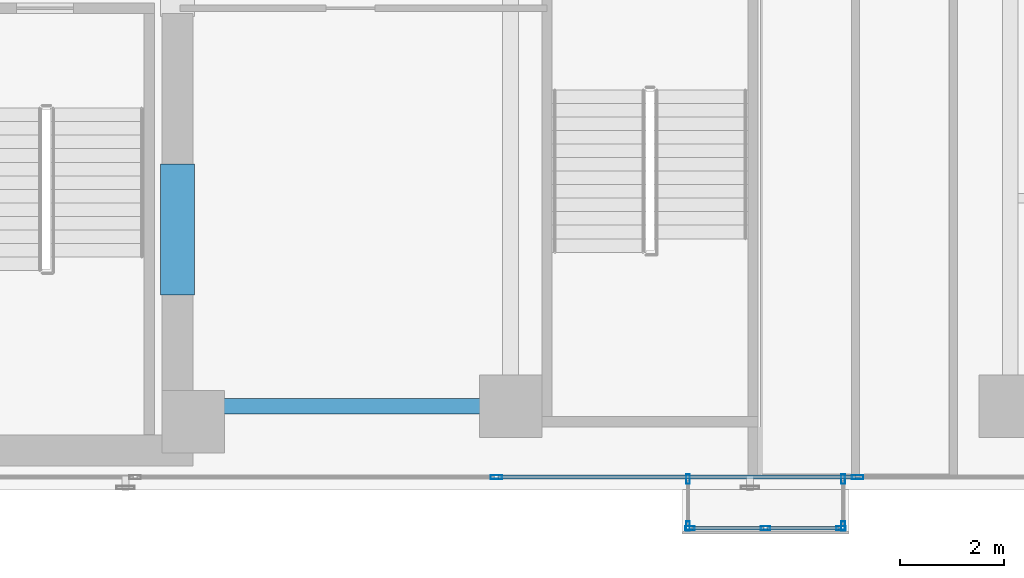
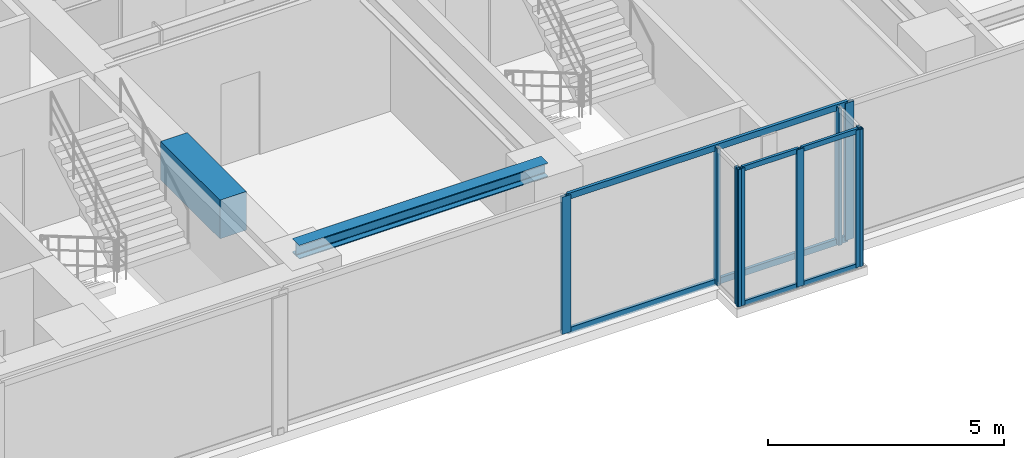
# One storey, part 4 of 23: 15 members, 2 beams, 4 elements without a shape of their own.
"""IFC4 building model written with IfcOpenShell, lengths in metres."""

from ifc_helpers import new_model, si_unit, direction, frame, origin, origin_with_axes, origin_2d, place, context, subcontext, project, spatial, rectangle, hollow_rectangle, i_section, extrude, source, transform, mapped, material, layer, layer_set, material_profile, profile_set, type_object, element, aggregate, save


model = new_model("IFC4")

# Units and contexts
model_context = context("Model", 3, precision=1e-05, world=origin(), true_north=direction((0.0, 1.0)))
body_context = subcontext(model_context, "Body", "Model", "MODEL_VIEW")
ifc_project = project(units=[si_unit("LENGTHUNIT", "METRE"), si_unit("AREAUNIT", "SQUARE_METRE"), si_unit("VOLUMEUNIT", "CUBIC_METRE"), si_unit("PLANEANGLEUNIT", "RADIAN"), si_unit("MASSUNIT", "GRAM", prefix="KILO")], contexts=[model_context])

# Site, building, storey
site_placement = place(None, origin())
site = spatial("IfcSite", under=ifc_project, at=site_placement, CompositionType="ELEMENT")
building_placement = place(site_placement, origin())
building = spatial("IfcBuilding", under=site, at=building_placement, Name="Kolvaren Waterfront Exchange", CompositionType="ELEMENT")
storey_placement = place(building_placement, frame((0.0, 0.0, 188.0)))
storey = spatial("IfcBuildingStorey", under=building, at=storey_placement, Name="L48", CompositionType="ELEMENT", Elevation=188.0)

# Beams
ifc_material_1 = material(Name="Steel S355", Category="steel")
ifc_material_profile_1 = material_profile(ifc_material_1, i_section(OverallWidth=0.300048828125, OverallDepth=0.360107421875, WebThickness=0.012451171875, FlangeThickness=0.0224609375, FilletRadius=0.027099609375, at=origin_2d()), Name="HEB360")
ifc_profile_set_1 = profile_set([ifc_material_profile_1], Name="Steel S355")
beam_type_1 = type_object("IfcBeamType", Name="STR-BM-HEB360", PredefinedType="SPANDREL", material=ifc_profile_set_1)
beam_1_placement = place(storey_placement, frame((21.10009765625, 5.199951171875, 3.3798828125), z_axis=(1.0, 0.0, 0.0), x_axis=(0.0, 1.0, 0.0)))
element("IfcBeam", 1, at=beam_1_placement, inside=storey, type_object=beam_type_1, Name="L48 east-arm spandrel S1", PredefinedType="SPANDREL", context=body_context, shape_type="SweptSolid", body=[
    extrude(i_section(OverallWidth=0.300048828125, OverallDepth=0.360107421875, WebThickness=0.012451171875, FlangeThickness=0.0224609375, FilletRadius=0.027099609375, at=origin_2d()), origin(), (0.0, 0.0, 1.0), 6.099853515625),
])
ifc_material_2 = material(Name="Concrete C60/75", Category="concrete")
ifc_material_profile_2 = material_profile(ifc_material_2, rectangle(XDim=0.64990234375, YDim=1.0, at=origin_2d()), Name="RC-CB-1000x650")
ifc_profile_set_2 = profile_set([ifc_material_profile_2], Name="Concrete C60/75")
beam_type_2 = type_object("IfcBeamType", Name="STR-CB-1000", PredefinedType="SPANDREL", material=ifc_profile_set_2)
beam_2_placement = place(storey_placement, frame((20.800048828125, 7.340087890625, 3.06005859375), z_axis=(0.0, 1.0, 0.0), x_axis=(-1.0, 0.0, 0.0)))
element("IfcBeam", 2, at=beam_2_placement, inside=storey, type_object=beam_type_2, Name="L48 core coupling beam 1", PredefinedType="SPANDREL", context=body_context, shape_type="SweptSolid", body=[
    extrude(rectangle(XDim=0.64990234375, YDim=1.0, at=origin_2d()), origin(), (0.0, 0.0, 1.0), 2.52001953125),
])

# Curtain wall, members
ifc_material_3 = material(Name="Anodised bronze aluminium 6063-T6", Category="aluminium")
ifc_layer_1 = layer(ifc_material_3, 0.219970703125, Name="Anodised bronze aluminium 6063-T6")
ifc_layer_set_1 = layer_set([ifc_layer_1], Name="Anodised bronze aluminium 6063-T6")
curtain_wall_type_1 = type_object("IfcCurtainWallType", Name="ARC-CW-SYS3", PredefinedType="USERDEFINED", material=ifc_layer_set_1)
curtain_wall_1_placement = place(storey_placement, origin())
curtain_wall_1 = element("IfcCurtainWall", 3, at=curtain_wall_1_placement, inside=storey, type_object=curtain_wall_type_1, Name="L48 stick curtain wall CW3 (CW-L48-BOX)", ObjectType="STICK CURTAIN WALL", PredefinedType="USERDEFINED")
ifc_material_profile_3 = material_profile(ifc_material_3, hollow_rectangle(XDim=0.06494140625, YDim=0.1298828125, WallThickness=0.00390625, at=origin_2d()), Name="ALU-TRN-130x65x4")
ifc_profile_set_3 = profile_set([ifc_material_profile_3], Name="Anodised bronze aluminium 6063-T6")
member_type_1 = type_object("IfcMemberType", Name="ARC-CWT-130", PredefinedType="USERDEFINED", material=ifc_profile_set_3)
shared_shape_1 = source(origin_with_axes(), body_context, "Body", "SweptSolid", [
    extrude(hollow_rectangle(XDim=0.06494140625, YDim=0.1298828125, WallThickness=0.00390625, at=origin_2d()), origin(), (0.0, 0.0, 1.0), 1.37744140625),
])
member_1_placement = place(storey_placement, frame((30.68505859375, 2.860107421875, 0.032470703125), z_axis=(1.0, 0.0, 0.0), x_axis=(0.0, 1.0, 0.0)))
member_1 = element("IfcMember", 4, at=member_1_placement, type_object=member_type_1, Name="CW3 transom 1.1", ObjectType="TRANSOM", PredefinedType="USERDEFINED", context=body_context, shape_type="MappedRepresentation", body=[
    mapped(shared_shape_1, transform((0.0, 0.0, 0.0), x_axis=(1.0, 0.0, 0.0), y_axis=(0.0, 1.0, 0.0), z_axis=(0.0, 0.0, 1.0), scale=1.0)),
])
member_2_placement = place(storey_placement, frame((30.68505859375, 2.860107421875, 3.527587890625), z_axis=(1.0, 0.0, 0.0), x_axis=(0.0, 1.0, 0.0)))
member_2 = element("IfcMember", 5, at=member_2_placement, type_object=member_type_1, Name="CW3 transom 1.2", ObjectType="TRANSOM", PredefinedType="USERDEFINED", context=body_context, shape_type="MappedRepresentation", body=[
    mapped(shared_shape_1, transform((0.0, 0.0, 0.0), x_axis=(1.0, 0.0, 0.0), y_axis=(0.0, 1.0, 0.0), z_axis=(0.0, 0.0, 1.0), scale=1.0)),
])
member_3_placement = place(storey_placement, frame((32.137451171875, 2.860107421875, 0.032470703125), z_axis=(1.0, 0.0, 0.0), x_axis=(0.0, 1.0, 0.0)))
member_3 = element("IfcMember", 6, at=member_3_placement, type_object=member_type_1, Name="CW3 transom 2.1", ObjectType="TRANSOM", PredefinedType="USERDEFINED", context=body_context, shape_type="MappedRepresentation", body=[
    mapped(shared_shape_1, transform((0.0, 0.0, 0.0), x_axis=(1.0, 0.0, 0.0), y_axis=(0.0, 1.0, 0.0), z_axis=(0.0, 0.0, 1.0), scale=1.0)),
])
member_4_placement = place(storey_placement, frame((32.137451171875, 2.860107421875, 3.527587890625), z_axis=(1.0, 0.0, 0.0), x_axis=(0.0, 1.0, 0.0)))
member_4 = element("IfcMember", 7, at=member_4_placement, type_object=member_type_1, Name="CW3 transom 2.2", ObjectType="TRANSOM", PredefinedType="USERDEFINED", context=body_context, shape_type="MappedRepresentation", body=[
    mapped(shared_shape_1, transform((0.0, 0.0, 0.0), x_axis=(1.0, 0.0, 0.0), y_axis=(0.0, 1.0, 0.0), z_axis=(0.0, 0.0, 1.0), scale=1.0)),
])

curtain_wall_2_placement = place(storey_placement, origin())
curtain_wall_2 = element("IfcCurtainWall", 8, at=curtain_wall_2_placement, inside=storey, type_object=curtain_wall_type_1, Name="L48 stick curtain wall CW3 (CW-L48-BOX-W)", ObjectType="STICK CURTAIN WALL", PredefinedType="USERDEFINED")
ifc_material_profile_4 = material_profile(ifc_material_3, hollow_rectangle(XDim=0.074951171875, YDim=0.179931640625, WallThickness=0.00439453125, at=origin_2d()), Name="ALU-MUL-180x75x4.5")
ifc_profile_set_4 = profile_set([ifc_material_profile_4], Name="Anodised bronze aluminium 6063-T6")
member_type_2 = type_object("IfcMemberType", Name="ARC-CWM-180", PredefinedType="MULLION", material=ifc_profile_set_4)
shared_shape_2 = source(origin_with_axes(), body_context, "Body", "SweptSolid", [
    extrude(hollow_rectangle(XDim=0.074951171875, YDim=0.179931640625, WallThickness=0.00439453125, at=origin_2d()), origin(), (0.0, 0.0, 1.0), 3.56005859375),
])
member_5_placement = place(storey_placement, frame((30.610107421875, 3.802490234375, 0.0), z_axis=(0.0, 0.0, 1.0), x_axis=(1.0, 0.0, 0.0)))
member_5 = element("IfcMember", 9, at=member_5_placement, type_object=member_type_2, Name="CW3 mullion 1", PredefinedType="MULLION", context=body_context, shape_type="MappedRepresentation", body=[
    mapped(shared_shape_2, transform((0.0, 0.0, 0.0), x_axis=(1.0, 0.0, 0.0), y_axis=(0.0, 1.0, 0.0), z_axis=(0.0, 0.0, 1.0), scale=1.0)),
])
member_6_placement = place(storey_placement, frame((30.610107421875, 2.8974609375, 0.0), z_axis=(0.0, 0.0, 1.0), x_axis=(1.0, 0.0, 0.0)))
member_6 = element("IfcMember", 10, at=member_6_placement, type_object=member_type_2, Name="CW3 mullion 2", PredefinedType="MULLION", context=body_context, shape_type="MappedRepresentation", body=[
    mapped(shared_shape_2, transform((0.0, 0.0, 0.0), x_axis=(1.0, 0.0, 0.0), y_axis=(0.0, 1.0, 0.0), z_axis=(0.0, 0.0, 1.0), scale=1.0)),
])
aggregate(curtain_wall_2, [member_5, member_6])

# Member
member_7_placement = place(storey_placement, frame((30.6474609375, 2.860107421875, 0.0), z_axis=(0.0, 0.0, 1.0), x_axis=(0.0, 1.0, 0.0)))
member_7 = element("IfcMember", 11, at=member_7_placement, type_object=member_type_2, Name="CW3 mullion 1", PredefinedType="MULLION", context=body_context, shape_type="MappedRepresentation", body=[
    mapped(shared_shape_2, transform((0.0, 0.0, 0.0), x_axis=(1.0, 0.0, 0.0), y_axis=(0.0, 1.0, 0.0), z_axis=(0.0, 0.0, 1.0), scale=1.0)),
])

member_8_placement = place(storey_placement, frame((32.10009765625, 2.860107421875, 0.0), z_axis=(0.0, 0.0, 1.0), x_axis=(0.0, 1.0, 0.0)))
member_8 = element("IfcMember", 12, at=member_8_placement, type_object=member_type_2, Name="CW3 mullion 2", PredefinedType="MULLION", context=body_context, shape_type="MappedRepresentation", body=[
    mapped(shared_shape_2, transform((0.0, 0.0, 0.0), x_axis=(1.0, 0.0, 0.0), y_axis=(0.0, 1.0, 0.0), z_axis=(0.0, 0.0, 1.0), scale=1.0)),
])

member_9_placement = place(storey_placement, frame((33.552490234375, 2.860107421875, 0.0), z_axis=(0.0, 0.0, 1.0), x_axis=(0.0, 1.0, 0.0)))
member_9 = element("IfcMember", 13, at=member_9_placement, type_object=member_type_2, Name="CW3 mullion 3", PredefinedType="MULLION", context=body_context, shape_type="MappedRepresentation", body=[
    mapped(shared_shape_2, transform((0.0, 0.0, 0.0), x_axis=(1.0, 0.0, 0.0), y_axis=(0.0, 1.0, 0.0), z_axis=(0.0, 0.0, 1.0), scale=1.0)),
])

aggregate(curtain_wall_1, [member_7, member_8, member_9, member_1, member_2, member_3, member_4])

# Curtain wall, members
curtain_wall_3_placement = place(storey_placement, origin())
curtain_wall_3 = element("IfcCurtainWall", 14, at=curtain_wall_3_placement, inside=storey, type_object=curtain_wall_type_1, Name="L48 stick curtain wall CW3 (CW-L48-BOX-E)", ObjectType="STICK CURTAIN WALL", PredefinedType="USERDEFINED")
member_10_placement = place(storey_placement, frame((33.590087890625, 2.8974609375, 0.0), z_axis=(0.0, 0.0, 1.0), x_axis=(-1.0, 0.0, 0.0)))
member_10 = element("IfcMember", 15, at=member_10_placement, type_object=member_type_2, Name="CW3 mullion 1", PredefinedType="MULLION", context=body_context, shape_type="MappedRepresentation", body=[
    mapped(shared_shape_2, transform((0.0, 0.0, 0.0), x_axis=(1.0, 0.0, 0.0), y_axis=(0.0, 1.0, 0.0), z_axis=(0.0, 0.0, 1.0), scale=1.0)),
])
member_11_placement = place(storey_placement, frame((33.590087890625, 3.802490234375, 0.0), z_axis=(0.0, 0.0, 1.0), x_axis=(-1.0, 0.0, 0.0)))
member_11 = element("IfcMember", 16, at=member_11_placement, type_object=member_type_2, Name="CW3 mullion 2", PredefinedType="MULLION", context=body_context, shape_type="MappedRepresentation", body=[
    mapped(shared_shape_2, transform((0.0, 0.0, 0.0), x_axis=(1.0, 0.0, 0.0), y_axis=(0.0, 1.0, 0.0), z_axis=(0.0, 0.0, 1.0), scale=1.0)),
])
aggregate(curtain_wall_3, [member_10, member_11])

ifc_layer_2 = layer(ifc_material_3, 0.219970703125, Name="Anodised bronze aluminium 6063-T6")
ifc_layer_set_2 = layer_set([ifc_layer_2], Name="Anodised bronze aluminium 6063-T6")
curtain_wall_type_2 = type_object("IfcCurtainWallType", Name="ARC-CW-SYS1", PredefinedType="USERDEFINED", material=ifc_layer_set_2)
curtain_wall_4_placement = place(storey_placement, origin())
curtain_wall_4 = element("IfcCurtainWall", 17, at=curtain_wall_4_placement, inside=storey, type_object=curtain_wall_type_2, Name="L48 stick curtain wall CW1 (CW-L48-S)", ObjectType="STICK CURTAIN WALL", PredefinedType="USERDEFINED")
ifc_material_4 = material(Name="Anodised aluminium 6063-T6", Category="aluminium")
ifc_material_profile_5 = material_profile(ifc_material_4, hollow_rectangle(XDim=0.080078125, YDim=0.219970703125, WallThickness=0.0048828125, at=origin_2d()), Name="ALU-MUL-220x80x5")
ifc_profile_set_5 = profile_set([ifc_material_profile_5], Name="Anodised aluminium 6063-T6")
member_type_3 = type_object("IfcMemberType", Name="ARC-CWM-220", PredefinedType="MULLION", material=ifc_profile_set_5)
shared_shape_3 = source(origin_with_axes(), body_context, "Body", "SweptSolid", [
    extrude(hollow_rectangle(XDim=0.080078125, YDim=0.219970703125, WallThickness=0.0048828125, at=origin_2d()), origin(), (0.0, 0.0, 1.0), 3.56005859375),
])
member_12_placement = place(storey_placement, frame((26.928466796875, 3.840087890625, 0.0), z_axis=(0.0, 0.0, 1.0), x_axis=(0.0, 1.0, 0.0)))
member_12 = element("IfcMember", 18, at=member_12_placement, type_object=member_type_3, Name="CW1 mullion 4", PredefinedType="MULLION", context=body_context, shape_type="MappedRepresentation", body=[
    mapped(shared_shape_3, transform((0.0, 0.0, 0.0), x_axis=(1.0, 0.0, 0.0), y_axis=(0.0, 1.0, 0.0), z_axis=(0.0, 0.0, 1.0), scale=1.0)),
])
member_13_placement = place(storey_placement, frame((33.871337890625, 3.840087890625, 0.0), z_axis=(0.0, 0.0, 1.0), x_axis=(0.0, 1.0, 0.0)))
member_13 = element("IfcMember", 19, at=member_13_placement, type_object=member_type_3, Name="CW1 mullion 5", PredefinedType="MULLION", context=body_context, shape_type="MappedRepresentation", body=[
    mapped(shared_shape_3, transform((0.0, 0.0, 0.0), x_axis=(1.0, 0.0, 0.0), y_axis=(0.0, 1.0, 0.0), z_axis=(0.0, 0.0, 1.0), scale=1.0)),
])
ifc_material_profile_6 = material_profile(ifc_material_4, hollow_rectangle(XDim=0.074951171875, YDim=0.159912109375, WallThickness=0.00439453125, at=origin_2d()), Name="ALU-TRN-160x75x4.5")
ifc_profile_set_6 = profile_set([ifc_material_profile_6], Name="Anodised aluminium 6063-T6")
member_type_4 = type_object("IfcMemberType", Name="ARC-CWT-160", PredefinedType="USERDEFINED", material=ifc_profile_set_6)
shared_shape_4 = source(origin_with_axes(), body_context, "Body", "SweptSolid", [
    extrude(hollow_rectangle(XDim=0.074951171875, YDim=0.159912109375, WallThickness=0.00439453125, at=origin_2d()), origin(), (0.0, 0.0, 1.0), 6.863037109375),
])
member_14_placement = place(storey_placement, frame((26.968505859375, 3.840087890625, 0.03759765625), z_axis=(1.0, 0.0, 0.0), x_axis=(0.0, 1.0, 0.0)))
member_14 = element("IfcMember", 20, at=member_14_placement, type_object=member_type_4, Name="CW1 transom 4.1", ObjectType="TRANSOM", PredefinedType="USERDEFINED", context=body_context, shape_type="MappedRepresentation", body=[
    mapped(shared_shape_4, transform((0.0, 0.0, 0.0), x_axis=(1.0, 0.0, 0.0), y_axis=(0.0, 1.0, 0.0), z_axis=(0.0, 0.0, 1.0), scale=1.0)),
])
member_15_placement = place(storey_placement, frame((26.968505859375, 3.840087890625, 3.5224609375), z_axis=(1.0, 0.0, 0.0), x_axis=(0.0, 1.0, 0.0)))
member_15 = element("IfcMember", 21, at=member_15_placement, type_object=member_type_4, Name="CW1 transom 4.2", ObjectType="TRANSOM", PredefinedType="USERDEFINED", context=body_context, shape_type="MappedRepresentation", body=[
    mapped(shared_shape_4, transform((0.0, 0.0, 0.0), x_axis=(1.0, 0.0, 0.0), y_axis=(0.0, 1.0, 0.0), z_axis=(0.0, 0.0, 1.0), scale=1.0)),
])
aggregate(curtain_wall_4, [member_12, member_13, member_14, member_15])

save(model, "model.ifc")
